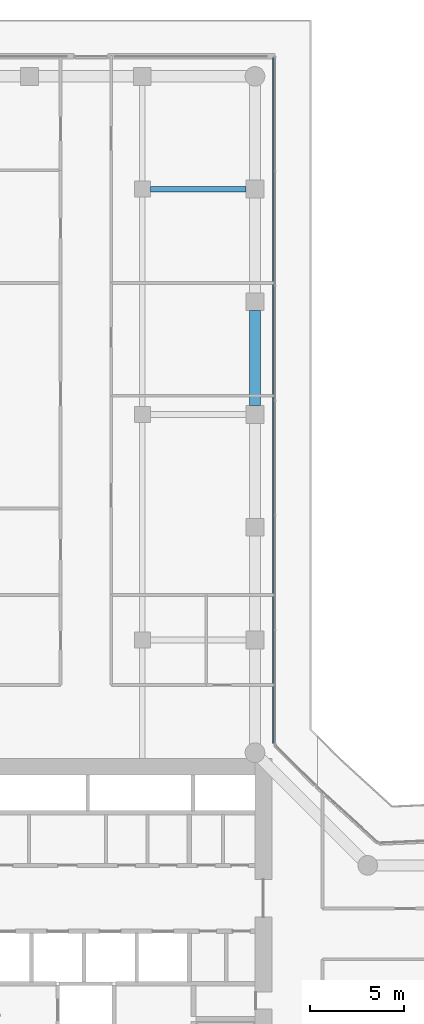
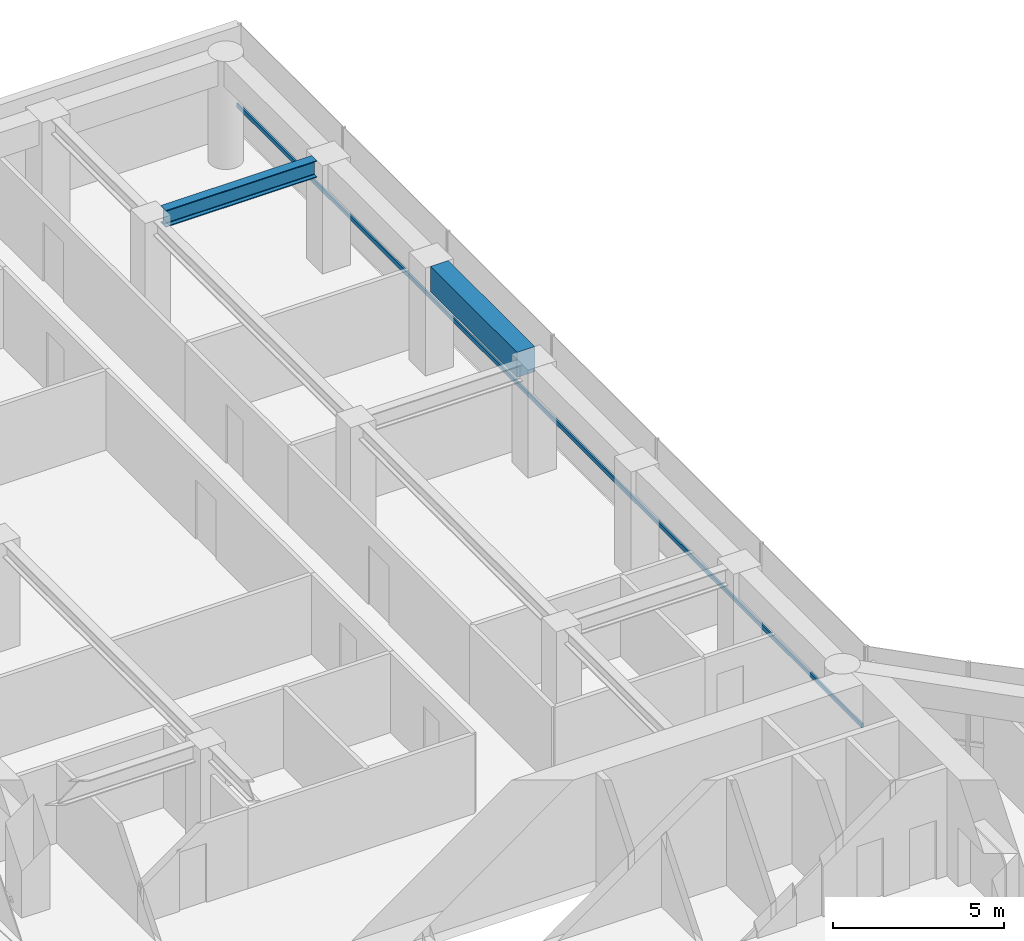
# One storey, part 18 of 29: 2 beams, 1 member, 1 element without a shape of its own.
"""IFC4 building model written with IfcOpenShell, lengths in metres."""

from ifc_helpers import new_model, si_unit, direction, frame, origin, origin_2d, place, context, subcontext, project, spatial, rectangle, i_section, extrude, material, layer, layer_set, material_profile, profile_set, type_object, element, aggregate, save


model = new_model("IFC4")

# Units and contexts
model_context = context("Model", 3, precision=1e-05, world=origin(), true_north=direction((0.0, 1.0)))
body_context = subcontext(model_context, "Body", "Model", "MODEL_VIEW")
ifc_project = project(units=[si_unit("LENGTHUNIT", "METRE"), si_unit("AREAUNIT", "SQUARE_METRE"), si_unit("VOLUMEUNIT", "CUBIC_METRE"), si_unit("PLANEANGLEUNIT", "RADIAN"), si_unit("MASSUNIT", "GRAM", prefix="KILO")], contexts=[model_context])

# Site, building, storey
site_placement = place(None, origin())
site = spatial("IfcSite", under=ifc_project, at=site_placement, CompositionType="ELEMENT")
building_placement = place(site_placement, origin())
building = spatial("IfcBuilding", under=site, at=building_placement, Name="Welwitschia Terrace Campus", CompositionType="ELEMENT")
storey_placement = place(building_placement, frame((0.0, 0.0, 62.60009765625)))
storey = spatial("IfcBuildingStorey", under=building, at=storey_placement, Name="L14", CompositionType="ELEMENT", Elevation=62.60009765625)

# Beams
ifc_material_1 = material(Name="Steel S355", Category="steel")
ifc_material_profile_1 = material_profile(ifc_material_1, i_section(OverallWidth=0.300048828125, OverallDepth=0.60009765625, WebThickness=0.015380859375, FlangeThickness=0.030029296875, FilletRadius=0.027099609375, at=origin_2d()))
ifc_profile_set_1 = profile_set([ifc_material_profile_1], Name="Steel S355")
beam_type_1 = type_object("IfcBeamType", Name="Primary beam HE 600 B", PredefinedType="BEAM", material=ifc_profile_set_1)
beam_1_placement = place(storey_placement, frame((23.5244140625, 56.0, 3.5498046875), z_axis=(-1.0, 0.0, 0.0), x_axis=(0.0, -1.0, 0.0)))
element("IfcBeam", 1, at=beam_1_placement, inside=storey, type_object=beam_type_1, Name="Primary beam PB2", PredefinedType="BEAM", context=body_context, shape_type="SweptSolid", body=[
    extrude(i_section(OverallWidth=0.300048828125, OverallDepth=0.60009765625, WebThickness=0.015380859375, FlangeThickness=0.030029296875, FilletRadius=0.027099609375, at=origin_2d()), origin(), (0.0, 0.0, 1.0), 5.098876953125),
])
ifc_material_2 = material(Name="Concrete C60/75", Category="concrete")
ifc_material_profile_2 = material_profile(ifc_material_2, rectangle(XDim=0.60009765625, YDim=0.89990234375, at=origin_2d()))
ifc_profile_set_2 = profile_set([ifc_material_profile_2], Name="Concrete C60/75")
beam_type_2 = type_object("IfcBeamType", Name="Ring spandrel 600x900", PredefinedType="SPANDREL", material=ifc_profile_set_2)
beam_2_placement = place(storey_placement, frame((24.0, 44.4755859375, 3.39990234375), z_axis=(0.0, 1.0, 0.0), x_axis=(-1.0, 0.0, 0.0)))
element("IfcBeam", 2, at=beam_2_placement, inside=storey, type_object=beam_type_2, Name="Spandrel SP2", PredefinedType="SPANDREL", context=body_context, shape_type="SweptSolid", body=[
    extrude(rectangle(XDim=0.60009765625, YDim=0.89990234375, at=origin_2d()), origin(), (0.0, 0.0, 1.0), 5.048828125),
])

# Curtain wall, member
ifc_material_3 = material(Name="Bronze anodised aluminium", Category="aluminium")
ifc_layer = layer(ifc_material_3, 0.1201171875)
ifc_layer_set = layer_set([ifc_layer], Name="Bronze anodised aluminium")
curtain_wall_type = type_object("IfcCurtainWallType", Name="Curtain wall CW2 tower 6000", PredefinedType="NOTDEFINED", material=ifc_layer_set)
curtain_wall_placement = place(storey_placement, origin())
curtain_wall = element("IfcCurtainWall", 3, at=curtain_wall_placement, inside=storey, type_object=curtain_wall_type, Name="CW L14.10.0", PredefinedType="NOTDEFINED")
ifc_material_4 = material(Name="Bronze anodised aluminium", Category="aluminium")
ifc_material_profile_3 = material_profile(ifc_material_4, rectangle(XDim=0.06005859375, YDim=0.14990234375, at=origin_2d()))
ifc_profile_set_3 = profile_set([ifc_material_profile_3], Name="Bronze anodised aluminium")
member_type = type_object("IfcMemberType", Name="Transom 60x150", PredefinedType="USERDEFINED", material=ifc_profile_set_3)
member_placement = place(storey_placement, frame((24.968017578125, 26.498291015625, 1.0), z_axis=(0.0, 1.0, 0.0), x_axis=(-1.0, 0.0, 0.0)))
member = element("IfcMember", 4, at=member_placement, type_object=member_type, Name="Transom L14.10.0", ObjectType="TRANSOM", PredefinedType="USERDEFINED", context=body_context, shape_type="SweptSolid", body=[
    extrude(rectangle(XDim=0.06005859375, YDim=0.14990234375, at=origin_2d()), origin(), (0.0, 0.0, 1.0), 36.499755859375),
])
aggregate(curtain_wall, [member])

save(model, "model.ifc")
